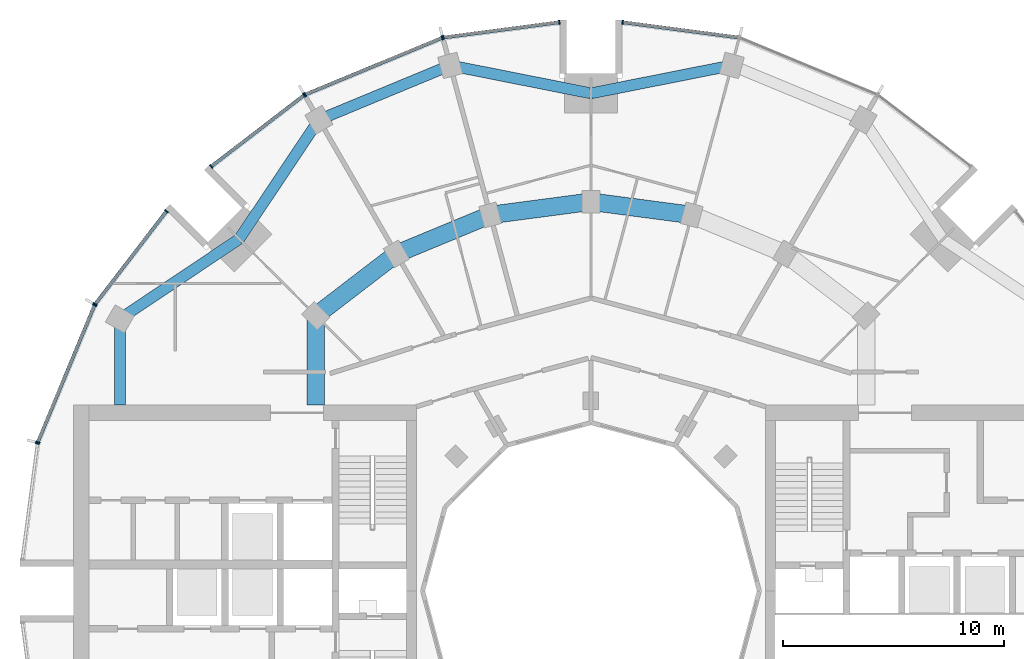
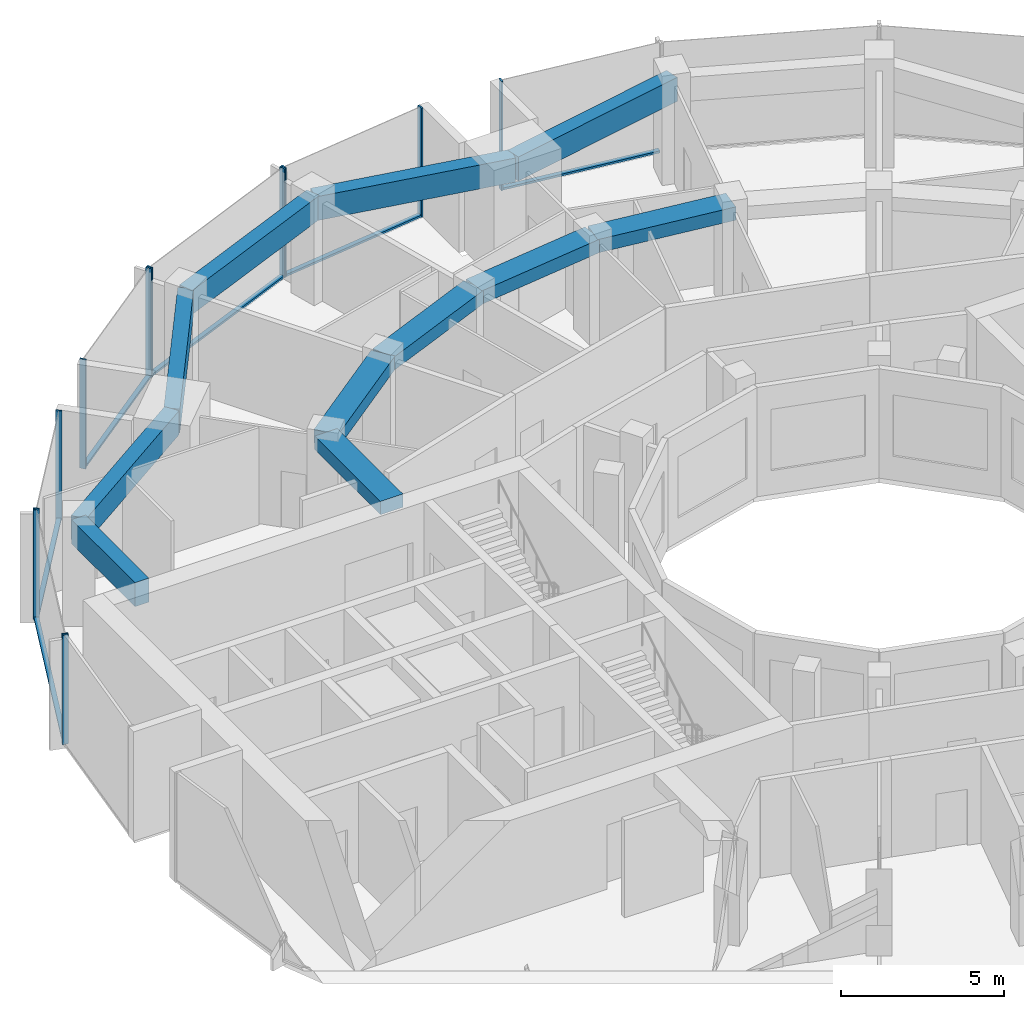
# One storey, part 5 of 15: 18 members, 11 beams, 7 elements without a shape of their own.
"""IFC4 building model written with IfcOpenShell, lengths in metres."""

from ifc_helpers import new_model, si_unit, direction, frame, origin, origin_2d, place, context, subcontext, project, spatial, rectangle, extrude, material, layer, layer_set, material_profile, profile_set, type_object, element, aggregate, save


model = new_model("IFC4")

# Units and contexts
model_context = context("Model", 3, precision=1e-05, world=origin(), true_north=direction((0.0, 1.0)))
body_context = subcontext(model_context, "Body", "Model", "MODEL_VIEW")
ifc_project = project(units=[si_unit("LENGTHUNIT", "METRE"), si_unit("AREAUNIT", "SQUARE_METRE"), si_unit("VOLUMEUNIT", "CUBIC_METRE"), si_unit("PLANEANGLEUNIT", "RADIAN"), si_unit("MASSUNIT", "GRAM", prefix="KILO")], contexts=[model_context])

# Site, building, storey
site_placement = place(None, origin())
site = spatial("IfcSite", under=ifc_project, at=site_placement, CompositionType="ELEMENT")
building_placement = place(site_placement, origin())
building = spatial("IfcBuilding", under=site, at=building_placement, Name="Torre Brocal", CompositionType="ELEMENT")
storey_placement = place(building_placement, frame((0.0, 0.0, 186.39990234375)))
storey = spatial("IfcBuildingStorey", under=building, at=storey_placement, Name="L43", CompositionType="ELEMENT", Elevation=186.39990234375)

# Curtain wall, member
ifc_material_1 = material(Name="Aluminium and glass", Category="aluminium")
ifc_layer_1 = layer(ifc_material_1, 0.199951171875)
ifc_layer_set_1 = layer_set([ifc_layer_1], Name="Aluminium and glass")
curtain_wall_type_1 = type_object("IfcCurtainWallType", Name="CW-1 CURTAIN WALL 4100 HIGH", PredefinedType="NOTDEFINED", material=ifc_layer_set_1)
curtain_wall_1_placement = place(storey_placement, origin())
curtain_wall_1 = element("IfcCurtainWall", 1, at=curtain_wall_1_placement, inside=storey, type_object=curtain_wall_type_1, Name="CW-1 RUN 6", PredefinedType="NOTDEFINED")
ifc_material_2 = material(Name="Aluminium, dark anodised", Category="aluminium")
ifc_material_profile_1 = material_profile(ifc_material_2, rectangle(XDim=0.199951171875, YDim=0.06005859375, at=origin_2d()), Name="CW-1 MULLION 60X200")
ifc_profile_set_1 = profile_set([ifc_material_profile_1], Name="Aluminium, dark anodised")
member_type_1 = type_object("IfcMemberType", Name="CW-1 MULLION 60X200", PredefinedType="MULLION", material=ifc_profile_set_1)
member_1_placement = place(storey_placement, frame((81.4296875, 100.7109375, 0.0), z_axis=(0.0, 0.0, 1.0), x_axis=(-0.13052619222, -0.991444861374, 0.0)))
member_1 = element("IfcMember", 2, at=member_1_placement, type_object=member_type_1, Name="CW1-4 mullion 2", PredefinedType="MULLION", context=body_context, shape_type="SweptSolid", body=[
    extrude(rectangle(XDim=0.199951171875, YDim=0.06005859375, at=origin_2d()), origin(), (0.0, 0.0, 1.0), 4.10009765625),
])

# Curtain wall, members
curtain_wall_2_placement = place(storey_placement, origin())
curtain_wall_2 = element("IfcCurtainWall", 3, at=curtain_wall_2_placement, inside=storey, type_object=curtain_wall_type_1, Name="CW-1 RUN 7", PredefinedType="NOTDEFINED")
member_2_placement = place(storey_placement, frame((78.5703125, 100.7109375, 0.0), z_axis=(0.0, 0.0, 1.0), x_axis=(0.13052619222, -0.991444861374, 0.0)))
member_2 = element("IfcMember", 4, at=member_2_placement, type_object=member_type_1, Name="CW1-4 mullion 1", PredefinedType="MULLION", context=body_context, shape_type="SweptSolid", body=[
    extrude(rectangle(XDim=0.199951171875, YDim=0.06005859375, at=origin_2d()), origin(), (0.0, 0.0, 1.0), 4.10009765625),
])
member_3_placement = place(storey_placement, frame((73.32666015625, 100.0205078125, 0.0), z_axis=(0.0, 0.0, 1.0), x_axis=(0.13052619222, -0.991444861374, 0.0)))
member_3 = element("IfcMember", 5, at=member_3_placement, type_object=member_type_1, Name="CW1-4 mullion 2", PredefinedType="MULLION", context=body_context, shape_type="SweptSolid", body=[
    extrude(rectangle(XDim=0.199951171875, YDim=0.06005859375, at=origin_2d()), origin(), (0.0, 0.0, 1.0), 4.10009765625),
])

curtain_wall_3_placement = place(storey_placement, origin())
curtain_wall_3 = element("IfcCurtainWall", 6, at=curtain_wall_3_placement, inside=storey, type_object=curtain_wall_type_1, Name="CW-1 RUN 8", PredefinedType="NOTDEFINED")
member_4_placement = place(storey_placement, frame((73.26904296875, 100.005126953125, 0.0), z_axis=(0.0, 0.0, 1.0), x_axis=(0.382683432333, -0.923879532525, 0.0)))
member_4 = element("IfcMember", 7, at=member_4_placement, type_object=member_type_1, Name="CW1-4 mullion 1", PredefinedType="MULLION", context=body_context, shape_type="SweptSolid", body=[
    extrude(rectangle(XDim=0.199951171875, YDim=0.06005859375, at=origin_2d()), origin(), (0.0, 0.0, 1.0), 4.10009765625),
])
member_5_placement = place(storey_placement, frame((67.078125, 97.440673828125, 0.0), z_axis=(0.0, 0.0, 1.0), x_axis=(0.382683432333, -0.923879532525, 0.0)))
member_5 = element("IfcMember", 8, at=member_5_placement, type_object=member_type_1, Name="CW1-4 mullion 2", PredefinedType="MULLION", context=body_context, shape_type="SweptSolid", body=[
    extrude(rectangle(XDim=0.199951171875, YDim=0.06005859375, at=origin_2d()), origin(), (0.0, 0.0, 1.0), 4.10009765625),
])

curtain_wall_4_placement = place(storey_placement, origin())
curtain_wall_4 = element("IfcCurtainWall", 9, at=curtain_wall_4_placement, inside=storey, type_object=curtain_wall_type_1, Name="CW-1 RUN 9", PredefinedType="NOTDEFINED")
member_6_placement = place(storey_placement, frame((67.026611328125, 97.4111328125, 0.0), z_axis=(0.0, 0.0, 1.0), x_axis=(0.60876142905, -0.793353340259, 0.0)))
member_6 = element("IfcMember", 10, at=member_6_placement, type_object=member_type_1, Name="CW1-4 mullion 1", PredefinedType="MULLION", context=body_context, shape_type="SweptSolid", body=[
    extrude(rectangle(XDim=0.199951171875, YDim=0.06005859375, at=origin_2d()), origin(), (0.0, 0.0, 1.0), 4.10009765625),
])
member_7_placement = place(storey_placement, frame((62.83056640625, 94.19140625, 0.0), z_axis=(0.0, 0.0, 1.0), x_axis=(0.60876142905, -0.793353340259, 0.0)))
member_7 = element("IfcMember", 11, at=member_7_placement, type_object=member_type_1, Name="CW1-4 mullion 2", PredefinedType="MULLION", context=body_context, shape_type="SweptSolid", body=[
    extrude(rectangle(XDim=0.199951171875, YDim=0.06005859375, at=origin_2d()), origin(), (0.0, 0.0, 1.0), 4.10009765625),
])

curtain_wall_5_placement = place(storey_placement, origin())
curtain_wall_5 = element("IfcCurtainWall", 12, at=curtain_wall_5_placement, inside=storey, type_object=curtain_wall_type_1, Name="CW-1 RUN 10", PredefinedType="NOTDEFINED")
member_8_placement = place(storey_placement, frame((60.80859375, 92.16943359375, 0.0), z_axis=(0.0, 0.0, 1.0), x_axis=(0.793353340259, -0.60876142905, 0.0)))
member_8 = element("IfcMember", 13, at=member_8_placement, type_object=member_type_1, Name="CW1-4 mullion 1", PredefinedType="MULLION", context=body_context, shape_type="SweptSolid", body=[
    extrude(rectangle(XDim=0.199951171875, YDim=0.06005859375, at=origin_2d()), origin(), (0.0, 0.0, 1.0), 4.10009765625),
])
member_9_placement = place(storey_placement, frame((57.5888671875, 87.973388671875, 0.0), z_axis=(0.0, 0.0, 1.0), x_axis=(0.793353340259, -0.60876142905, 0.0)))
member_9 = element("IfcMember", 14, at=member_9_placement, type_object=member_type_1, Name="CW1-4 mullion 2", PredefinedType="MULLION", context=body_context, shape_type="SweptSolid", body=[
    extrude(rectangle(XDim=0.199951171875, YDim=0.06005859375, at=origin_2d()), origin(), (0.0, 0.0, 1.0), 4.10009765625),
])

curtain_wall_6_placement = place(storey_placement, origin())
curtain_wall_6 = element("IfcCurtainWall", 15, at=curtain_wall_6_placement, inside=storey, type_object=curtain_wall_type_1, Name="CW-1 RUN 11", PredefinedType="NOTDEFINED")
member_10_placement = place(storey_placement, frame((57.559326171875, 87.921875, 0.0), z_axis=(0.0, 0.0, 1.0), x_axis=(0.923879532525, -0.382683432333, 0.0)))
member_10 = element("IfcMember", 16, at=member_10_placement, type_object=member_type_1, Name="CW1-4 mullion 1", PredefinedType="MULLION", context=body_context, shape_type="SweptSolid", body=[
    extrude(rectangle(XDim=0.199951171875, YDim=0.06005859375, at=origin_2d()), origin(), (0.0, 0.0, 1.0), 4.10009765625),
])
member_11_placement = place(storey_placement, frame((54.994873046875, 81.73095703125, 0.0), z_axis=(0.0, 0.0, 1.0), x_axis=(0.923879532525, -0.382683432333, 0.0)))
member_11 = element("IfcMember", 17, at=member_11_placement, type_object=member_type_1, Name="CW1-4 mullion 2", PredefinedType="MULLION", context=body_context, shape_type="SweptSolid", body=[
    extrude(rectangle(XDim=0.199951171875, YDim=0.06005859375, at=origin_2d()), origin(), (0.0, 0.0, 1.0), 4.10009765625),
])

# Member
ifc_material_3 = material(Name="Aluminium, dark anodised", Category="aluminium")
ifc_material_profile_2 = material_profile(ifc_material_3, rectangle(XDim=0.159912109375, YDim=0.080078125, at=origin_2d()), Name="CW-1 TRANSOM 160X80")
ifc_profile_set_2 = profile_set([ifc_material_profile_2], Name="Aluminium, dark anodised")
member_type_2 = type_object("IfcMemberType", Name="CW-1 TRANSOM 160X80", PredefinedType="USERDEFINED", material=ifc_profile_set_2)
member_12_placement = place(storey_placement, frame((86.643798828125, 100.0244140625, 0.0400390625), z_axis=(-0.991442690863, 0.130542677827, 0.0), x_axis=(-0.130542677827, -0.991442690863, 0.0)))
member_12 = element("IfcMember", 18, at=member_12_placement, type_object=member_type_2, Name="CW1-4 transom 1.1", ObjectType="TRANSOM", PredefinedType="USERDEFINED", context=body_context, shape_type="SweptSolid", body=[
    extrude(rectangle(XDim=0.159912109375, YDim=0.080078125, at=origin_2d()), origin(), (0.0, 0.0, 1.0), 5.22900390625),
])

aggregate(curtain_wall_1, [member_1, member_12])

member_13_placement = place(storey_placement, frame((78.54052734375, 100.70703125, 0.0400390625), z_axis=(-0.991442690863, -0.130542677827, 0.0), x_axis=(0.130542677827, -0.991442690863, 0.0)))
member_13 = element("IfcMember", 19, at=member_13_placement, type_object=member_type_2, Name="CW1-4 transom 1.1", ObjectType="TRANSOM", PredefinedType="USERDEFINED", context=body_context, shape_type="SweptSolid", body=[
    extrude(rectangle(XDim=0.159912109375, YDim=0.080078125, at=origin_2d()), origin(), (0.0, 0.0, 1.0), 5.22900390625),
])

aggregate(curtain_wall_2, [member_2, member_3, member_13])

member_14_placement = place(storey_placement, frame((73.241455078125, 99.99365234375, 0.0400390625), z_axis=(-0.923887344364, -0.38266457234, 0.0), x_axis=(0.38266457234, -0.923887344364, 0.0)))
member_14 = element("IfcMember", 20, at=member_14_placement, type_object=member_type_2, Name="CW1-4 transom 1.1", ObjectType="TRANSOM", PredefinedType="USERDEFINED", context=body_context, shape_type="SweptSolid", body=[
    extrude(rectangle(XDim=0.159912109375, YDim=0.080078125, at=origin_2d()), origin(), (0.0, 0.0, 1.0), 6.640869140625),
])

aggregate(curtain_wall_3, [member_4, member_5, member_14])

member_15_placement = place(storey_placement, frame((67.0029296875, 97.392822265625, 0.0400390625), z_axis=(-0.79336281513, -0.60874908096, 0.0), x_axis=(0.60874908096, -0.79336281513, 0.0)))
member_15 = element("IfcMember", 21, at=member_15_placement, type_object=member_type_2, Name="CW1-4 transom 1.1", ObjectType="TRANSOM", PredefinedType="USERDEFINED", context=body_context, shape_type="SweptSolid", body=[
    extrude(rectangle(XDim=0.159912109375, YDim=0.080078125, at=origin_2d()), origin(), (0.0, 0.0, 1.0), 5.22900390625),
])

aggregate(curtain_wall_4, [member_6, member_7, member_15])

member_16_placement = place(storey_placement, frame((60.790283203125, 92.1455078125, 0.0400390625), z_axis=(-0.60874908096, -0.79336281513, 0.0), x_axis=(0.79336281513, -0.60874908096, 0.0)))
member_16 = element("IfcMember", 22, at=member_16_placement, type_object=member_type_2, Name="CW1-4 transom 1.1", ObjectType="TRANSOM", PredefinedType="USERDEFINED", context=body_context, shape_type="SweptSolid", body=[
    extrude(rectangle(XDim=0.159912109375, YDim=0.080078125, at=origin_2d()), origin(), (0.0, 0.0, 1.0), 5.22900390625),
])

aggregate(curtain_wall_5, [member_8, member_9, member_16])

member_17_placement = place(storey_placement, frame((57.547607421875, 87.89404296875, 0.0400390625), z_axis=(-0.38266457234, -0.923887344364, 0.0), x_axis=(0.923887344364, -0.38266457234, 0.0)))
member_17 = element("IfcMember", 23, at=member_17_placement, type_object=member_type_2, Name="CW1-4 transom 1.1", ObjectType="TRANSOM", PredefinedType="USERDEFINED", context=body_context, shape_type="SweptSolid", body=[
    extrude(rectangle(XDim=0.159912109375, YDim=0.080078125, at=origin_2d()), origin(), (0.0, 0.0, 1.0), 6.640869140625),
])

aggregate(curtain_wall_6, [member_10, member_11, member_17])

# Curtain wall, member
ifc_material_4 = material(Name="Aluminium and glass", Category="aluminium")
ifc_layer_2 = layer(ifc_material_4, 0.199951171875)
ifc_layer_set_2 = layer_set([ifc_layer_2], Name="Aluminium and glass")
curtain_wall_type_2 = type_object("IfcCurtainWallType", Name="CW-1B CURTAIN WALL 4100 HIGH", PredefinedType="NOTDEFINED", material=ifc_layer_set_2)
curtain_wall_7_placement = place(storey_placement, origin())
curtain_wall_7 = element("IfcCurtainWall", 24, at=curtain_wall_7_placement, inside=storey, type_object=curtain_wall_type_2, Name="CW-1B RUN 12", PredefinedType="NOTDEFINED")
ifc_material_5 = material(Name="Aluminium, dark anodised", Category="aluminium")
ifc_material_profile_3 = material_profile(ifc_material_5, rectangle(XDim=0.199951171875, YDim=0.06005859375, at=origin_2d()), Name="CW-1B MULLION 60X200")
ifc_profile_set_3 = profile_set([ifc_material_profile_3], Name="Aluminium, dark anodised")
member_type_3 = type_object("IfcMemberType", Name="CW-1B MULLION 60X200", PredefinedType="MULLION", material=ifc_profile_set_3)
member_18_placement = place(storey_placement, frame((54.9794921875, 81.67333984375, 0.0), z_axis=(0.0, 0.0, 1.0), x_axis=(0.991444861374, -0.13052619222, 0.0)))
member_18 = element("IfcMember", 25, at=member_18_placement, type_object=member_type_3, Name="CW1B-4 mullion 1", PredefinedType="MULLION", context=body_context, shape_type="SweptSolid", body=[
    extrude(rectangle(XDim=0.199951171875, YDim=0.06005859375, at=origin_2d()), origin(), (0.0, 0.0, 1.0), 4.10009765625),
])
aggregate(curtain_wall_7, [member_18])

# Beams
ifc_material_6 = material(Name="Concrete C50", Category="concrete")
ifc_material_profile_4 = material_profile(ifc_material_6, rectangle(XDim=0.800048828125, YDim=0.5, at=origin_2d()), Name="RC 800X500")
ifc_profile_set_4 = profile_set([ifc_material_profile_4], Name="Concrete C50")
beam_type_1 = type_object("IfcBeamType", Name="RC BEAM 800X500 C50 TOP 3780", PredefinedType="BEAM", material=ifc_profile_set_4)
for number, where, z_axis, x_axis, name in (
    (26, (84.55517578125, 92.000244140625, 3.530029296875), (-0.991440544449, 0.130558978332, 0.0), (-0.130558978332, -0.991440544449, 0.0), "Beam BT-32"),
    (27, (80.0, 92.60009765625, 3.530029296875), (-0.991440544449, -0.130558978332, 0.0), (0.130558978332, -0.991440544449, 0.0), "Beam BT-32"),
):
    element("IfcBeam", number, at=place(storey_placement, frame(where, z_axis=z_axis, x_axis=x_axis)), inside=storey, type_object=beam_type_1, Name=name, PredefinedType="BEAM", context=body_context, shape_type="SweptSolid", body=[
        extrude(rectangle(XDim=0.800048828125, YDim=0.5, at=origin_2d()), origin(), (0.0, 0.0, 1.0), 4.594482421875),
    ])
beam_1_placement = place(storey_placement, frame((75.44482421875, 92.000244140625, 3.530029296875), z_axis=(-0.923878240166, -0.382686552348, 0.0), x_axis=(0.382686552348, -0.923878240166, 0.0)))
element("IfcBeam", 28, at=beam_1_placement, inside=storey, type_object=beam_type_1, Name="Beam BT-32", PredefinedType="BEAM", context=body_context, shape_type="SweptSolid", body=[
    extrude(rectangle(XDim=0.800048828125, YDim=0.5, at=origin_2d()), origin(), (0.0, 0.0, 1.0), 4.5947265625),
])
beam_2_placement = place(storey_placement, frame((71.199951171875, 90.241943359375, 3.530029296875), z_axis=(-0.793358265959, -0.6087550097, 0.0), x_axis=(0.6087550097, -0.793358265959, 0.0)))
element("IfcBeam", 29, at=beam_2_placement, inside=storey, type_object=beam_type_1, Name="Beam BT-32", PredefinedType="BEAM", context=body_context, shape_type="SweptSolid", body=[
    extrude(rectangle(XDim=0.800048828125, YDim=0.5, at=origin_2d()), origin(), (0.0, 0.0, 1.0), 4.594482421875),
])
beam_3_placement = place(storey_placement, frame((67.554931640625, 87.445068359375, 3.530029296875), z_axis=(0.0, -1.0, 0.0), x_axis=(1.0, 0.0, 0.0)))
element("IfcBeam", 30, at=beam_3_placement, inside=storey, type_object=beam_type_1, Name="Beam BT-32", PredefinedType="BEAM", context=body_context, shape_type="SweptSolid", body=[
    extrude(rectangle(XDim=0.800048828125, YDim=0.5, at=origin_2d()), origin(), (0.0, 0.0, 1.0), 4.045166015625),
])
ifc_material_7 = material(Name="Concrete C50", Category="concrete")
ifc_material_profile_5 = material_profile(ifc_material_7, rectangle(XDim=0.5, YDim=0.89990234375, at=origin_2d()), Name="RC 500X900")
ifc_profile_set_5 = profile_set([ifc_material_profile_5], Name="Concrete C50")
beam_type_2 = type_object("IfcBeamType", Name="RC SPANDREL BEAM 500X900 C50 TOP 3780", PredefinedType="SPANDREL", material=ifc_profile_set_5)
for number, where, z_axis, x_axis, name in (
    (31, (86.366943359375, 98.76171875, 3.330078125), (-0.980924907484, -0.194387051723, 0.0), (0.194387051723, -0.980924907484, 0.0), "Beam BT-33"),
    (32, (80.0, 97.5, 3.330078125), (-0.980924907484, 0.194387051723, 0.0), (-0.194387051723, -0.980924907484, 0.0), "Beam BT-33"),
):
    element("IfcBeam", number, at=place(storey_placement, frame(where, z_axis=z_axis, x_axis=x_axis)), inside=storey, type_object=beam_type_2, Name=name, PredefinedType="SPANDREL", context=body_context, shape_type="SweptSolid", body=[
        extrude(rectangle(XDim=0.5, YDim=0.89990234375, at=origin_2d()), origin(), (0.0, 0.0, 1.0), 6.49072265625),
    ])
beam_4_placement = place(storey_placement, frame((73.633056640625, 98.76171875, 3.330078125), z_axis=(-0.923882462513, -0.382676358639, 0.0), x_axis=(0.382676358639, -0.923882462513, 0.0)))
element("IfcBeam", 33, at=beam_4_placement, inside=storey, type_object=beam_type_2, Name="Beam BT-33", PredefinedType="SPANDREL", context=body_context, shape_type="SweptSolid", body=[
    extrude(rectangle(XDim=0.5, YDim=0.89990234375, at=origin_2d()), origin(), (0.0, 0.0, 1.0), 6.421875),
])
for number, where, z_axis, x_axis, name in (
    (34, (67.699951171875, 96.30419921875, 3.330078125), (-0.556157602282, -0.831076844476, 0.0), (0.831076844476, -0.556157602282, 0.0), "Beam BT-33"),
    (35, (64.090087890625, 90.909912109375, 3.330078125), (-0.831076844476, -0.556157602282, 0.0), (0.556157602282, -0.831076844476, 0.0), "Beam BT-33"),
):
    element("IfcBeam", number, at=place(storey_placement, frame(where, z_axis=z_axis, x_axis=x_axis)), inside=storey, type_object=beam_type_2, Name=name, PredefinedType="SPANDREL", context=body_context, shape_type="SweptSolid", body=[
        extrude(rectangle(XDim=0.5, YDim=0.89990234375, at=origin_2d()), origin(), (0.0, 0.0, 1.0), 6.49072265625),
    ])
beam_5_placement = place(storey_placement, frame((58.69580078125, 87.300048828125, 3.330078125), z_axis=(0.0, -1.0, 0.0), x_axis=(1.0, 0.0, 0.0)))
element("IfcBeam", 36, at=beam_5_placement, inside=storey, type_object=beam_type_2, Name="Beam BT-33", PredefinedType="SPANDREL", context=body_context, shape_type="SweptSolid", body=[
    extrude(rectangle(XDim=0.5, YDim=0.89990234375, at=origin_2d()), origin(), (0.0, 0.0, 1.0), 3.900146484375),
])

save(model, "model.ifc")
